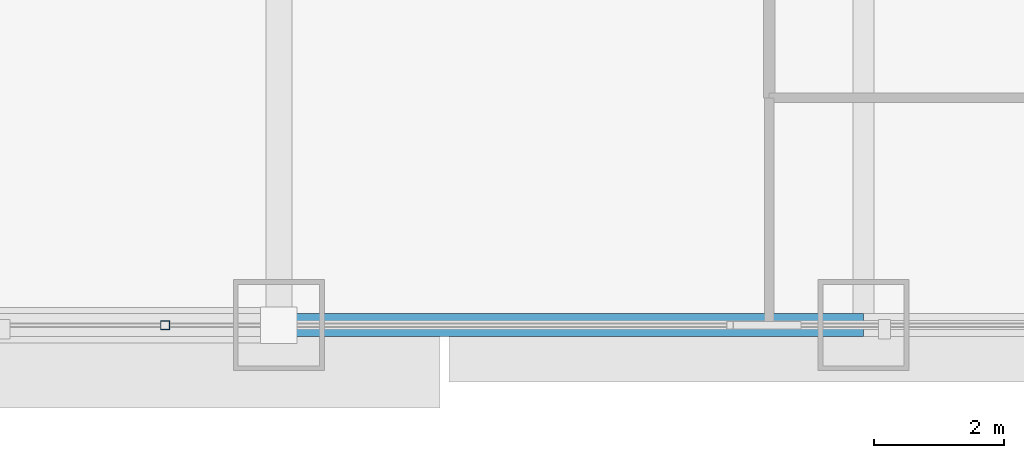
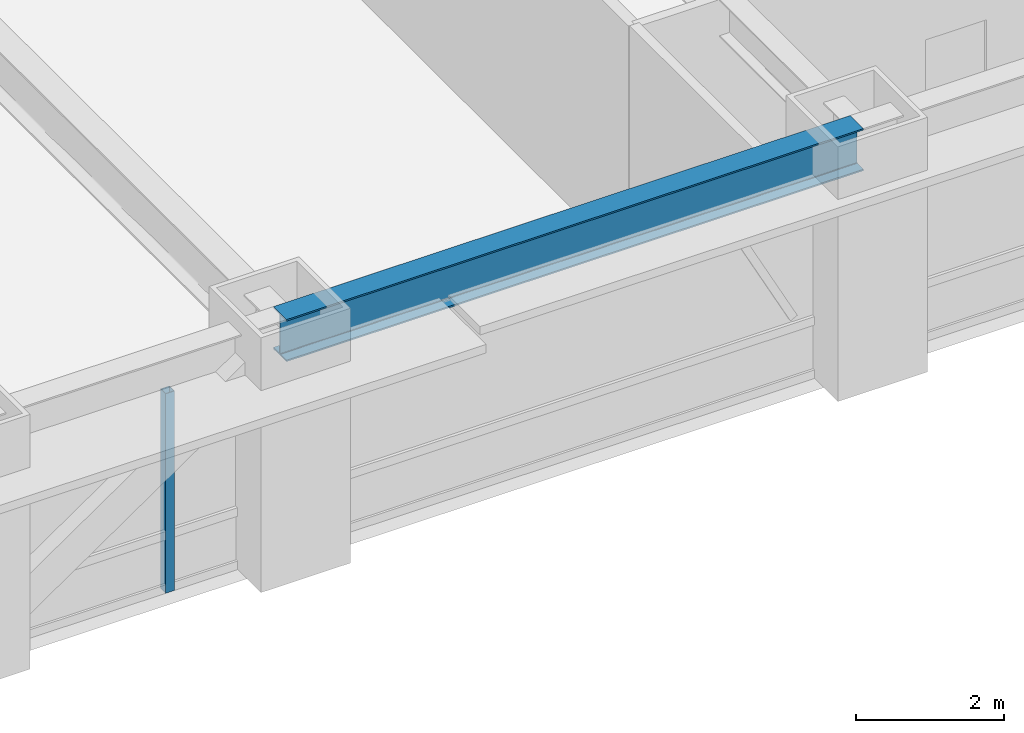
# One storey, part 8 of 31: 1 beam, 1 member, 1 element without a shape of its own.
"""IFC4 building model written with IfcOpenShell, lengths in metres."""

from ifc_helpers import new_model, si_unit, direction, frame, origin, origin_2d, place, context, subcontext, project, spatial, hollow_rectangle, i_section, extrude, source, transform, mapped, material, material_profile, profile_set, type_object, element, aggregate, save


model = new_model("IFC4")

# Units and contexts
model_context = context("Model", 3, precision=1e-05, world=origin(), true_north=direction((0.0, 1.0)))
body_context = subcontext(model_context, "Body", "Model", "MODEL_VIEW")
ifc_project = project(units=[si_unit("LENGTHUNIT", "METRE"), si_unit("AREAUNIT", "SQUARE_METRE"), si_unit("VOLUMEUNIT", "CUBIC_METRE"), si_unit("PLANEANGLEUNIT", "RADIAN"), si_unit("MASSUNIT", "GRAM", prefix="KILO")], contexts=[model_context])

# Site, building, storey
site_placement = place(None, origin())
site = spatial("IfcSite", under=ifc_project, at=site_placement, CompositionType="ELEMENT")
building_placement = place(site_placement, origin())
building = spatial("IfcBuilding", under=site, at=building_placement, Name="Khorayat Bourse Tower", CompositionType="ELEMENT")
storey_placement = place(building_placement, frame((0.0, 0.0, 41.0)))
storey = spatial("IfcBuildingStorey", under=building, at=storey_placement, Name="L08", CompositionType="ELEMENT", Elevation=41.0)

# Beam
ifc_material_1 = material(Name="Steel ASTM A992 Grade 50", Category="steel")
ifc_material_profile_1 = material_profile(ifc_material_1, i_section(OverallWidth=0.35498046875, OverallDepth=0.695068359375, WebThickness=0.015380859375, FlangeThickness=0.02490234375, FilletRadius=0.01806640625, at=origin_2d()), Name="W690X217")
ifc_profile_set_1 = profile_set([ifc_material_profile_1], Name="Steel ASTM A992 Grade 50")
beam_type = type_object("IfcBeamType", Name="BM-SPAN-690", PredefinedType="SPANDREL", material=ifc_profile_set_1)
shared_shape_1 = source(origin(), body_context, "Body", "SweptSolid", [
    extrude(i_section(OverallWidth=0.35498046875, OverallDepth=0.695068359375, WebThickness=0.015380859375, FlangeThickness=0.02490234375, FilletRadius=0.01806640625, at=origin_2d()), origin(), (0.0, 0.0, 1.0), 9.0),
])
beam_placement = place(storey_placement, frame((11.0, -32.0, 3.592529296875), z_axis=(1.0, 0.0, 0.0), x_axis=(0.0, 1.0, 0.0)))
element("IfcBeam", 1, at=beam_placement, inside=storey, type_object=beam_type, Name="L08 BM-SPAN-690 BM-L08-SPN-030", PredefinedType="SPANDREL", context=body_context, shape_type="MappedRepresentation", body=[
    mapped(shared_shape_1, transform((0.0, 0.0, 0.0), scale=1.0)),
])

# Curtain wall, member
ifc_material_2 = material(Name="Aluminium EN AW-6063 T6", Category="aluminium")
curtain_wall_type = type_object("IfcCurtainWallType", Name="CW-SYS-02", PredefinedType="NOTDEFINED", material=ifc_material_2)
curtain_wall_placement = place(storey_placement, origin())
curtain_wall = element("IfcCurtainWall", 2, at=curtain_wall_placement, inside=storey, type_object=curtain_wall_type, Name="L08 Curtain Wall CW-L08-S1", PredefinedType="NOTDEFINED")
ifc_material_profile_2 = material_profile(ifc_material_2, hollow_rectangle(XDim=0.139892578125, YDim=0.139892578125, WallThickness=0.006103515625, at=origin_2d()), Name="ALU 140x140x6")
ifc_profile_set_2 = profile_set([ifc_material_profile_2], Name="Aluminium EN AW-6063 T6")
member_type = type_object("IfcMemberType", Name="CWM-VERT-140", PredefinedType="MULLION", material=ifc_profile_set_2)
shared_shape_2 = source(origin(), body_context, "Body", "SweptSolid", [
    extrude(hollow_rectangle(XDim=0.139892578125, YDim=0.139892578125, WallThickness=0.006103515625, at=origin_2d()), origin(), (0.0, 0.0, 1.0), 3.2900390625),
])
member_placement = place(storey_placement, frame((9.25, -32.0, 0.0), z_axis=(0.0, 0.0, 1.0), x_axis=(0.0, 1.0, 0.0)))
member = element("IfcMember", 3, at=member_placement, type_object=member_type, Name="CW-L08-S1 Vertical Mullion 3", PredefinedType="MULLION", context=body_context, shape_type="MappedRepresentation", body=[
    mapped(shared_shape_2, transform((0.0, 0.0, 0.0), scale=1.0)),
])
aggregate(curtain_wall, [member])

save(model, "model.ifc")
